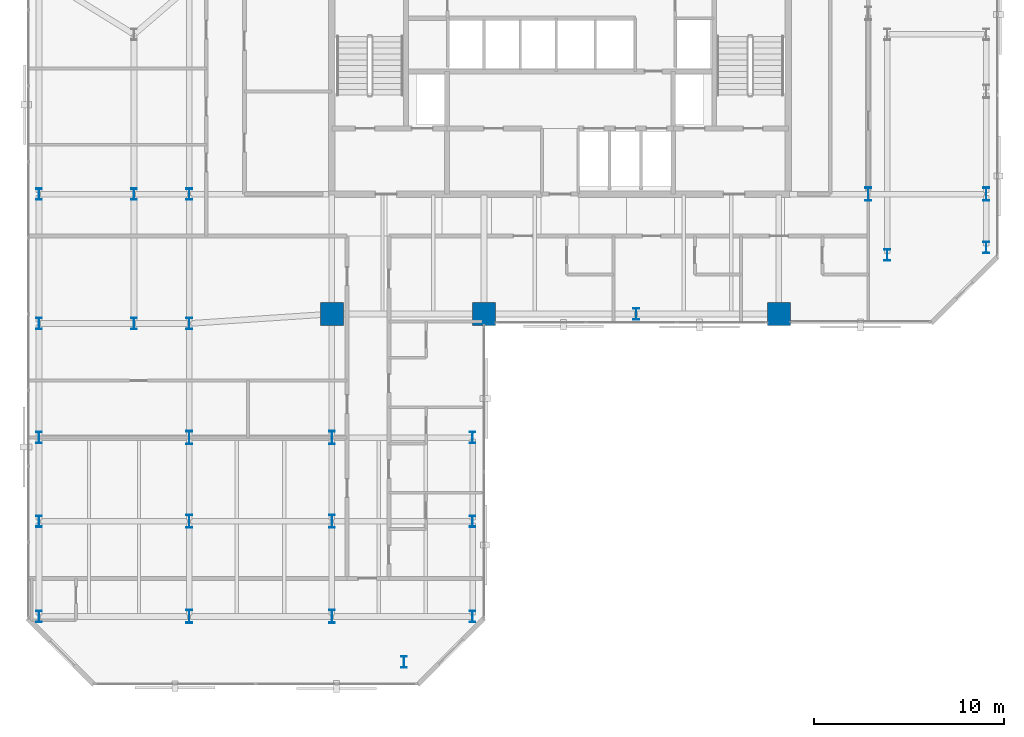
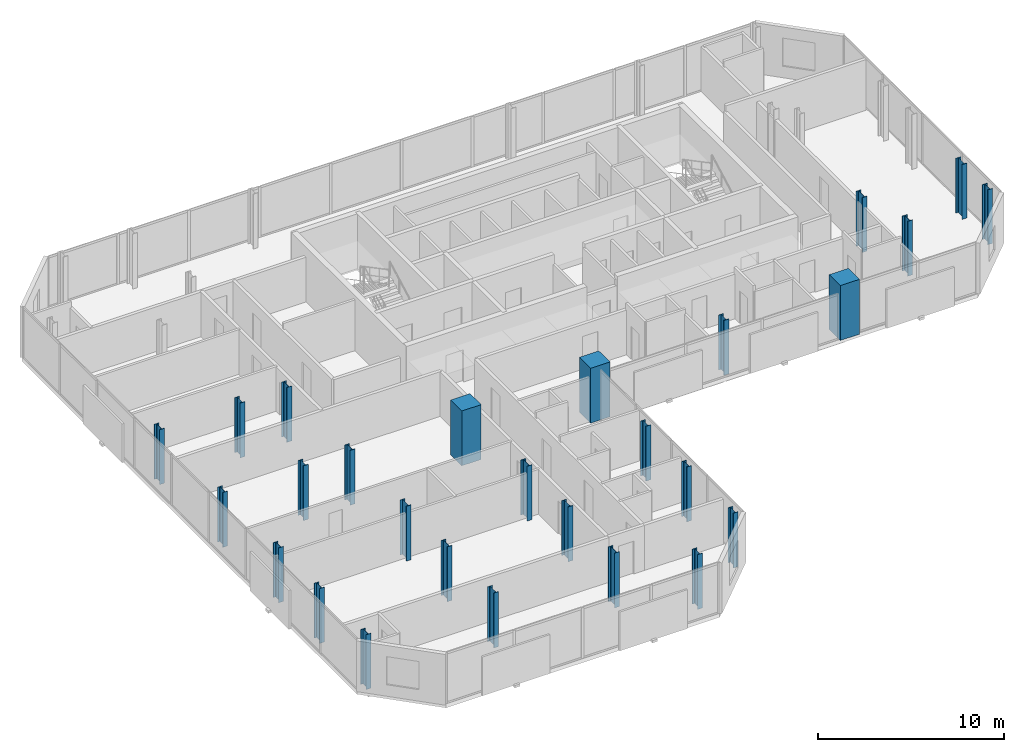
# One storey, part 1 of 32: 27 columns.
"""IFC4 building model written with IfcOpenShell, lengths in metres."""

from ifc_helpers import new_model, si_unit, direction, frame, origin, origin_2d, place, context, subcontext, project, spatial, rectangle, i_section, extrude, material, material_profile, profile_set, type_object, element, save


model = new_model("IFC4")

# Units and contexts
model_context = context("Model", 3, precision=1e-05, world=origin(), true_north=direction((0.0, 1.0)))
body_context = subcontext(model_context, "Body", "Model", "MODEL_VIEW")
ifc_project = project(units=[si_unit("LENGTHUNIT", "METRE"), si_unit("AREAUNIT", "SQUARE_METRE"), si_unit("VOLUMEUNIT", "CUBIC_METRE"), si_unit("PLANEANGLEUNIT", "RADIAN"), si_unit("MASSUNIT", "GRAM", prefix="KILO")], contexts=[model_context])

# Site, building, storey
site_placement = place(None, origin())
site = spatial("IfcSite", under=ifc_project, at=site_placement, CompositionType="ELEMENT")
building_placement = place(site_placement, origin())
building = spatial("IfcBuilding", under=site, at=building_placement, Name="Catumbela Crestline Tower", CompositionType="ELEMENT")
storey_placement = place(building_placement, frame((0.0, 0.0, 136.8)))
storey = spatial("IfcBuildingStorey", under=building, at=storey_placement, Name="L35", CompositionType="ELEMENT", Elevation=136.8)

# Columns
ifc_material_1 = material(Name="Concrete C50/60", Category="concrete")
ifc_material_profile_1 = material_profile(ifc_material_1, rectangle(XDim=1.2, YDim=1.2, at=origin_2d()), Name="RC 1200x1200")
ifc_profile_set_1 = profile_set([ifc_material_profile_1], Name="Concrete C50/60")
column_type_1 = type_object("IfcColumnType", Name="C-RC1200-C50", PredefinedType="COLUMN", material=ifc_profile_set_1)
for number, where, z_axis, x_axis, name in (
    (1, (16.0, 24.5, 0.0), (0.0, 0.0, 1.0), (1.0, 0.0, 0.0), "L35 Column C-16-24 (RC 1200x1200)"),
    (2, (24.0, 24.5, 0.0), (0.0, 0.0, 1.0), (1.0, 0.0, 0.0), "L35 Column C-24-24 (RC 1200x1200)"),
    (3, (39.5, 24.5, 0.0), (0.0, 0.0, 1.0), (1.0, 0.0, 0.0), "L35 Column C-40-24 (RC 1200x1200)"),
):
    element("IfcColumn", number, at=place(storey_placement, frame(where, z_axis=z_axis, x_axis=x_axis)), inside=storey, type_object=column_type_1, Name=name, PredefinedType="COLUMN", context=body_context, shape_type="SweptSolid", body=[
        extrude(rectangle(XDim=1.2, YDim=1.2, at=origin_2d()), origin(), (0.0, 0.0, 1.0), 3.6),
    ])
ifc_material_2 = material(Name="Structural steel S460M", Category="steel")
ifc_material_profile_2 = material_profile(ifc_material_2, i_section(OverallWidth=0.3, OverallDepth=0.6, WebThickness=0.0155, FlangeThickness=0.03, FilletRadius=0.027, at=origin_2d()), Name="HEB 600")
ifc_profile_set_2 = profile_set([ifc_material_profile_2], Name="Structural steel S460M")
column_type_2 = type_object("IfcColumnType", Name="C-ST-HEB600", PredefinedType="COLUMN", material=ifc_profile_set_2)
for number, where, z_axis, x_axis, name in (
    (4, (8.5, 24.0, 0.0), (0.0, 0.0, 1.0), (1.0, 0.0, 0.0), "L35 Column C-08-24 (HEB 600)"),
    (5, (32.0, 24.5, 0.0), (0.0, 0.0, 1.0), (1.0, 0.0, 0.0), "L35 Column C-32-24 (HEB 600)"),
    (6, (5.6, 24.0, 0.0), (0.0, 0.0, 1.0), (1.0, 0.0, 0.0), "L35 Column C-05-24 (HEB 600)"),
    (7, (5.6, 30.8, 0.0), (0.0, 0.0, 1.0), (1.0, 0.0, 0.0), "L35 Column C-05-31 (HEB 600)"),
    (8, (8.5, 30.8, 0.0), (0.0, 0.0, 1.0), (1.0, 0.0, 0.0), "L35 Column C-08-31 (HEB 600)"),
    (9, (45.2, 27.6, 0.0), (0.0, 0.0, 1.0), (1.0, 0.0, 0.0), "L35 Column C-46-24 (HEB 600)"),
    (10, (0.6, 24.0, 0.0), (0.0, 0.0, 1.0), (1.0, 0.0, 0.0), "L35 Column C-00-24 (HEB 600)"),
    (11, (0.6, 30.8, 0.0), (0.0, 0.0, 1.0), (1.0, 0.0, 0.0), "L35 Column C-00-31 (HEB 600)"),
    (12, (50.4, 28.0, 0.0), (0.0, 0.0, 1.0), (1.0, 0.0, 0.0), "L35 Column C-51-24 (HEB 600)"),
    (13, (0.6, 8.6, 0.0), (0.0, 0.0, 1.0), (1.0, 0.0, 0.0), "L35 Column C-00-05 (HEB 600)"),
    (14, (0.6, 13.6, 0.0), (0.0, 0.0, 1.0), (1.0, 0.0, 0.0), "L35 Column C-00-10 (HEB 600)"),
    (15, (0.6, 18.0, 0.0), (0.0, 0.0, 1.0), (1.0, 0.0, 0.0), "L35 Column C-00-16 (HEB 600)"),
    (16, (19.8, 6.2, 0.0), (0.0, 0.0, 1.0), (1.0, 0.0, 0.0), "L35 Column C-24-05 (HEB 600)"),
    (17, (23.4, 8.6, 0.0), (0.0, 0.0, 1.0), (1.0, 0.0, 0.0), "L35 Column C-23-08 (HEB 600)"),
    (18, (23.4, 13.6, 0.0), (0.0, 0.0, 1.0), (1.0, 0.0, 0.0), "L35 Column C-24-10 (HEB 600)"),
    (19, (23.4, 18.0, 0.0), (0.0, 0.0, 1.0), (1.0, 0.0, 0.0), "L35 Column C-24-16 (HEB 600)"),
):
    element("IfcColumn", number, at=place(storey_placement, frame(where, z_axis=z_axis, x_axis=x_axis)), inside=storey, type_object=column_type_2, Name=name, PredefinedType="COLUMN", context=body_context, shape_type="SweptSolid", body=[
        extrude(i_section(OverallWidth=0.3, OverallDepth=0.6, WebThickness=0.0155, FlangeThickness=0.03, FilletRadius=0.027, at=origin_2d()), origin(), (0.0, 0.0, 1.0), 3.6),
    ])
ifc_material_profile_3 = material_profile(ifc_material_2, i_section(OverallWidth=0.3, OverallDepth=0.7, WebThickness=0.017, FlangeThickness=0.032, FilletRadius=0.027, at=origin_2d()), Name="HEB 700")
ifc_profile_set_3 = profile_set([ifc_material_profile_3], Name="Structural steel S460M")
column_type_3 = type_object("IfcColumnType", Name="C-ST-HEB700", PredefinedType="COLUMN", material=ifc_profile_set_3)
for number, where, z_axis, x_axis, name in (
    (20, (8.5, 8.6, 0.0), (0.0, 0.0, 1.0), (1.0, 0.0, 0.0), "L35 Column CT-05-05 (HEB 700)"),
    (21, (16.0, 8.6, 0.0), (0.0, 0.0, 1.0), (1.0, 0.0, 0.0), "L35 Column CT-14-05 (HEB 700)"),
    (22, (8.5, 13.6, 0.0), (0.0, 0.0, 1.0), (1.0, 0.0, 0.0), "L35 Column CT-05-10 (HEB 700)"),
    (23, (16.0, 13.6, 0.0), (0.0, 0.0, 1.0), (1.0, 0.0, 0.0), "L35 Column CT-14-10 (HEB 700)"),
    (24, (8.5, 18.0, 0.0), (0.0, 0.0, 1.0), (1.0, 0.0, 0.0), "L35 Column CT-05-16 (HEB 700)"),
    (25, (16.0, 18.0, 0.0), (0.0, 0.0, 1.0), (1.0, 0.0, 0.0), "L35 Column CT-14-16 (HEB 700)"),
    (26, (44.2, 30.8, 0.0), (0.0, 0.0, 1.0), (1.0, 0.0, 0.0), "L35 Column CT-46-31 (HEB 700)"),
    (27, (50.4, 30.8, 0.0), (0.0, 0.0, 1.0), (1.0, 0.0, 0.0), "L35 Column CT-51-31 (HEB 700)"),
):
    element("IfcColumn", number, at=place(storey_placement, frame(where, z_axis=z_axis, x_axis=x_axis)), inside=storey, type_object=column_type_3, Name=name, PredefinedType="COLUMN", context=body_context, shape_type="SweptSolid", body=[
        extrude(i_section(OverallWidth=0.3, OverallDepth=0.7, WebThickness=0.017, FlangeThickness=0.032, FilletRadius=0.027, at=origin_2d()), origin(), (0.0, 0.0, 1.0), 3.6),
    ])

save(model, "model.ifc")
